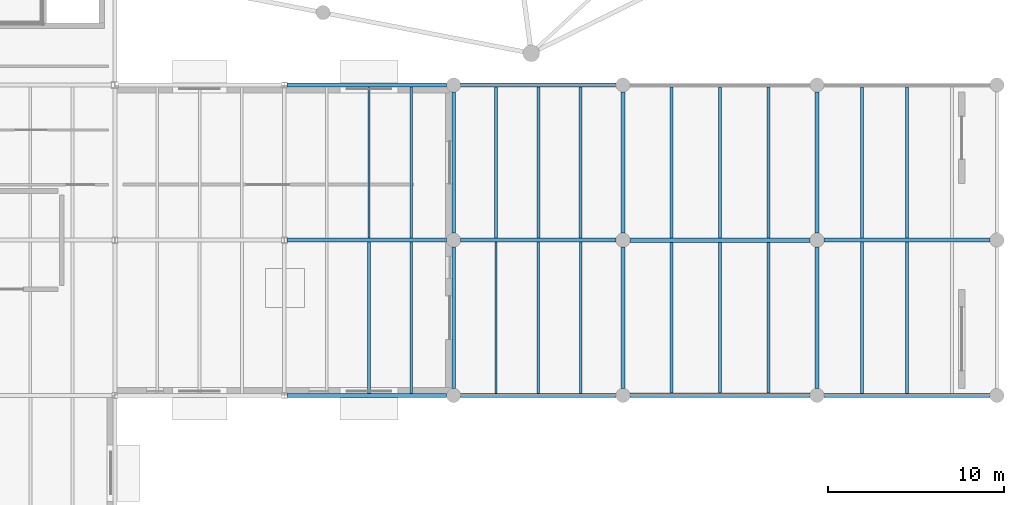
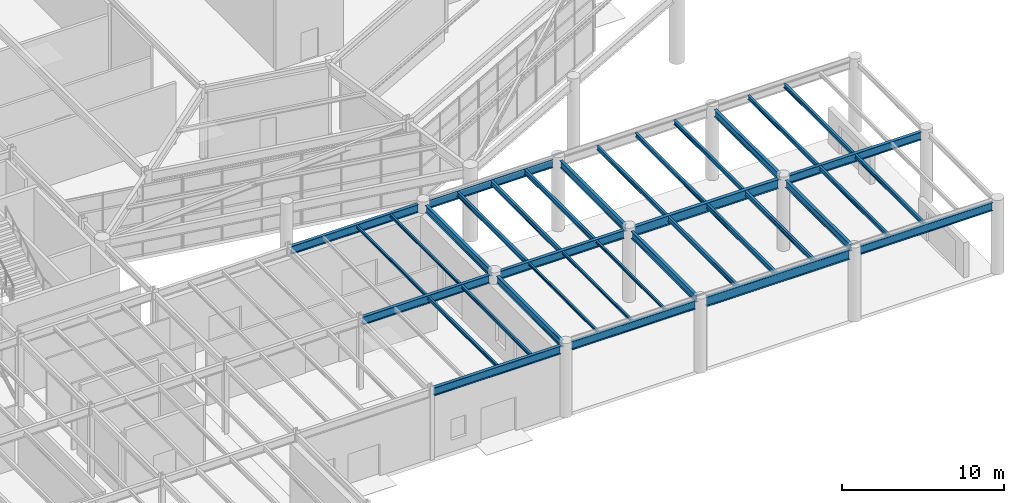
# One storey, part 28 of 70: 36 beams.
"""IFC4 building model written with IfcOpenShell, lengths in metres."""

from ifc_helpers import new_model, si_unit, direction, frame, origin, origin_2d, place, context, subcontext, project, spatial, i_section, extrude, material, material_profile, profile_set, type_object, element, save


model = new_model("IFC4")

# Units and contexts
model_context = context("Model", 3, precision=1e-05, world=origin(), true_north=direction((0.0, 1.0)))
body_context = subcontext(model_context, "Body", "Model", "MODEL_VIEW")
ifc_project = project(units=[si_unit("LENGTHUNIT", "METRE"), si_unit("AREAUNIT", "SQUARE_METRE"), si_unit("VOLUMEUNIT", "CUBIC_METRE"), si_unit("PLANEANGLEUNIT", "RADIAN"), si_unit("MASSUNIT", "GRAM", prefix="KILO")], contexts=[model_context])

# Site, building, storey
site_placement = place(None, origin())
site = spatial("IfcSite", under=ifc_project, at=site_placement, CompositionType="ELEMENT")
building_placement = place(site_placement, origin())
building = spatial("IfcBuilding", under=site, at=building_placement, Name="Sarnbrook Museum", CompositionType="ELEMENT")
storey_placement = place(building_placement, origin())
storey = spatial("IfcBuildingStorey", under=building, at=storey_placement, Name="L00", CompositionType="ELEMENT", Elevation=0.0)

# Beams
ifc_material_1 = material(Name="Structural Steel Grade 300PLUS (AS/NZS 3679.1, fy = 280 MPa for 17 < t <= 40 mm, 300 MPa for t <= 17 mm)", Category="steel")
ifc_material_profile_1 = material_profile(ifc_material_1, i_section(OverallWidth=0.208984375, OverallDepth=0.532958984375, WebThickness=0.01025390625, FlangeThickness=0.015625, FilletRadius=0.013916015625, at=origin_2d()), Name="530UB92.4")
ifc_profile_set_1 = profile_set([ifc_material_profile_1], Name="Structural Steel Grade 300PLUS (AS/NZS 3679.1, fy = 280 MPa for 17 < t <= 40 mm, 300 MPa for t <= 17 mm)")
beam_type_1 = type_object("IfcBeamType", Name="BM-UB530", PredefinedType="BEAM", material=ifc_profile_set_1)
for number, where, z_axis, x_axis, name in (
    (1, (138.39990234375, 39.60009765625, 5.08349609375), (0.0, 1.0, 0.0), (-1.0, 0.0, 0.0), "Girder 15:E-F L00"),
    (2, (138.39990234375, 48.39990234375, 5.08349609375), (0.0, 1.0, 0.0), (-1.0, 0.0, 0.0), "Girder 15:F-G L00"),
    (3, (148.0, 39.60009765625, 5.103515625), (0.0, 1.0, 0.0), (-1.0, 0.0, 0.0), "Girder 16:E-F L00"),
    (4, (148.0, 48.39990234375, 5.103515625), (0.0, 1.0, 0.0), (-1.0, 0.0, 0.0), "Girder 16:F-G L00"),
    (5, (159.0, 39.60009765625, 5.103515625), (0.0, 1.0, 0.0), (-1.0, 0.0, 0.0), "Girder 17:E-F L00"),
    (6, (159.0, 48.39990234375, 5.103515625), (0.0, 1.0, 0.0), (-1.0, 0.0, 0.0), "Girder 17:F-G L00"),
):
    element("IfcBeam", number, at=place(storey_placement, frame(where, z_axis=z_axis, x_axis=x_axis)), inside=storey, type_object=beam_type_1, Name=name, PredefinedType="BEAM", context=body_context, shape_type="SweptSolid", body=[
        extrude(i_section(OverallWidth=0.208984375, OverallDepth=0.532958984375, WebThickness=0.01025390625, FlangeThickness=0.015625, FilletRadius=0.013916015625, at=origin_2d()), origin(), (0.0, 0.0, 1.0), 8.0),
    ])
ifc_material_profile_2 = material_profile(ifc_material_1, i_section(OverallWidth=0.22900390625, OverallDepth=0.612060546875, WebThickness=0.011962890625, FlangeThickness=0.01953125, FilletRadius=0.013916015625, at=origin_2d()), Name="610UB125")
ifc_profile_set_2 = profile_set([ifc_material_profile_2], Name="Structural Steel Grade 300PLUS (AS/NZS 3679.1, fy = 280 MPa for 17 < t <= 40 mm, 300 MPa for t <= 17 mm)")
beam_type_2 = type_object("IfcBeamType", Name="BM-UB610H", PredefinedType="BEAM", material=ifc_profile_set_2)
beam_1_placement = place(storey_placement, frame((128.95556640625, 39.199951171875, 5.0439453125), z_axis=(1.0, 0.0, 0.0), x_axis=(0.0, 1.0, 0.0)))
element("IfcBeam", 7, at=beam_1_placement, inside=storey, type_object=beam_type_2, Name="Girder E:14-15 L00", PredefinedType="BEAM", context=body_context, shape_type="SweptSolid", body=[
    extrude(i_section(OverallWidth=0.22900390625, OverallDepth=0.612060546875, WebThickness=0.011962890625, FlangeThickness=0.01953125, FilletRadius=0.013916015625, at=origin_2d()), origin(), (0.0, 0.0, 1.0), 9.04443359375),
])
beam_2_placement = place(storey_placement, frame((138.800048828125, 39.199951171875, 5.06396484375), z_axis=(1.0, 0.0, 0.0), x_axis=(0.0, 1.0, 0.0)))
element("IfcBeam", 8, at=beam_2_placement, inside=storey, type_object=beam_type_2, Name="Girder E:15-16 L00", PredefinedType="BEAM", context=body_context, shape_type="SweptSolid", body=[
    extrude(i_section(OverallWidth=0.22900390625, OverallDepth=0.612060546875, WebThickness=0.011962890625, FlangeThickness=0.01953125, FilletRadius=0.013916015625, at=origin_2d()), origin(), (0.0, 0.0, 1.0), 8.800048828125),
])
beam_3_placement = place(storey_placement, frame((159.39990234375, 39.199951171875, 5.06396484375), z_axis=(1.0, 0.0, 0.0), x_axis=(0.0, 1.0, 0.0)))
element("IfcBeam", 9, at=beam_3_placement, inside=storey, type_object=beam_type_2, Name="Girder E:17-18 L00", PredefinedType="BEAM", context=body_context, shape_type="SweptSolid", body=[
    extrude(i_section(OverallWidth=0.22900390625, OverallDepth=0.612060546875, WebThickness=0.011962890625, FlangeThickness=0.01953125, FilletRadius=0.013916015625, at=origin_2d()), origin(), (0.0, 0.0, 1.0), 9.400146484375),
])
beam_4_placement = place(storey_placement, frame((128.95556640625, 48.0, 5.0439453125), z_axis=(1.0, 0.0, 0.0), x_axis=(0.0, 1.0, 0.0)))
element("IfcBeam", 10, at=beam_4_placement, inside=storey, type_object=beam_type_2, Name="Girder F:14-15 L00", PredefinedType="BEAM", context=body_context, shape_type="SweptSolid", body=[
    extrude(i_section(OverallWidth=0.22900390625, OverallDepth=0.612060546875, WebThickness=0.011962890625, FlangeThickness=0.01953125, FilletRadius=0.013916015625, at=origin_2d()), origin(), (0.0, 0.0, 1.0), 9.04443359375),
])
beam_5_placement = place(storey_placement, frame((138.800048828125, 48.0, 5.06396484375), z_axis=(1.0, 0.0, 0.0), x_axis=(0.0, 1.0, 0.0)))
element("IfcBeam", 11, at=beam_5_placement, inside=storey, type_object=beam_type_2, Name="Girder F:15-16 L00", PredefinedType="BEAM", context=body_context, shape_type="SweptSolid", body=[
    extrude(i_section(OverallWidth=0.22900390625, OverallDepth=0.612060546875, WebThickness=0.011962890625, FlangeThickness=0.01953125, FilletRadius=0.013916015625, at=origin_2d()), origin(), (0.0, 0.0, 1.0), 8.800048828125),
])
beam_6_placement = place(storey_placement, frame((159.39990234375, 48.0, 5.06396484375), z_axis=(1.0, 0.0, 0.0), x_axis=(0.0, 1.0, 0.0)))
element("IfcBeam", 12, at=beam_6_placement, inside=storey, type_object=beam_type_2, Name="Girder F:17-18 L00", PredefinedType="BEAM", context=body_context, shape_type="SweptSolid", body=[
    extrude(i_section(OverallWidth=0.22900390625, OverallDepth=0.612060546875, WebThickness=0.011962890625, FlangeThickness=0.01953125, FilletRadius=0.013916015625, at=origin_2d()), origin(), (0.0, 0.0, 1.0), 9.400146484375),
])
beam_7_placement = place(storey_placement, frame((128.95556640625, 56.800048828125, 5.0439453125), z_axis=(1.0, 0.0, 0.0), x_axis=(0.0, 1.0, 0.0)))
element("IfcBeam", 13, at=beam_7_placement, inside=storey, type_object=beam_type_2, Name="Girder G:14-15 L00", PredefinedType="BEAM", context=body_context, shape_type="SweptSolid", body=[
    extrude(i_section(OverallWidth=0.22900390625, OverallDepth=0.612060546875, WebThickness=0.011962890625, FlangeThickness=0.01953125, FilletRadius=0.013916015625, at=origin_2d()), origin(), (0.0, 0.0, 1.0), 9.04443359375),
])
beam_8_placement = place(storey_placement, frame((138.800048828125, 56.800048828125, 5.06396484375), z_axis=(1.0, 0.0, 0.0), x_axis=(0.0, 1.0, 0.0)))
element("IfcBeam", 14, at=beam_8_placement, inside=storey, type_object=beam_type_2, Name="Girder G:15-16 L00", PredefinedType="BEAM", context=body_context, shape_type="SweptSolid", body=[
    extrude(i_section(OverallWidth=0.22900390625, OverallDepth=0.612060546875, WebThickness=0.011962890625, FlangeThickness=0.01953125, FilletRadius=0.013916015625, at=origin_2d()), origin(), (0.0, 0.0, 1.0), 8.800048828125),
])
ifc_material_2 = material(Name="Structural Steel Grade 350L0 (AS/NZS 3678, fy = 340 MPa for 20 < t <= 40 mm)", Category="steel")
ifc_material_profile_3 = material_profile(ifc_material_2, i_section(OverallWidth=0.25, OverallDepth=0.699951171875, WebThickness=0.010009765625, FlangeThickness=0.01611328125, at=origin_2d()), Name="700WB130")
ifc_profile_set_3 = profile_set([ifc_material_profile_3], Name="Structural Steel Grade 350L0 (AS/NZS 3678, fy = 340 MPa for 20 < t <= 40 mm)")
beam_type_3 = type_object("IfcBeamType", Name="BM-WB700", PredefinedType="BEAM", material=ifc_profile_set_3)
for number, where, z_axis, x_axis, name in (
    (15, (148.39990234375, 39.199951171875, 5.02001953125), (1.0, 0.0, 0.0), (0.0, 1.0, 0.0), "Girder E:16-17 L00"),
    (16, (148.39990234375, 48.0, 5.02001953125), (1.0, 0.0, 0.0), (0.0, 1.0, 0.0), "Girder F:16-17 L00"),
):
    element("IfcBeam", number, at=place(storey_placement, frame(where, z_axis=z_axis, x_axis=x_axis)), inside=storey, type_object=beam_type_3, Name=name, PredefinedType="BEAM", context=body_context, shape_type="SweptSolid", body=[
        extrude(i_section(OverallWidth=0.25, OverallDepth=0.699951171875, WebThickness=0.010009765625, FlangeThickness=0.01611328125, at=origin_2d()), origin(), (0.0, 0.0, 1.0), 10.2001953125),
    ])
ifc_material_profile_4 = material_profile(ifc_material_1, i_section(OverallWidth=0.134033203125, OverallDepth=0.20703125, WebThickness=0.00634765625, FlangeThickness=0.009521484375, FilletRadius=0.0087890625, at=origin_2d()), Name="200UB29.8")
ifc_profile_set_4 = profile_set([ifc_material_profile_4], Name="Structural Steel Grade 300PLUS (AS/NZS 3679.1, fy = 280 MPa for 17 < t <= 40 mm, 300 MPa for t <= 17 mm)")
beam_type_4 = type_object("IfcBeamType", Name="JS-UB200", PredefinedType="JOIST", material=ifc_profile_set_4)
for number, where, z_axis, x_axis, name in (
    (17, (133.60009765625, 48.114501953125, 5.24658203125), (0.0, 1.0, 0.0), (-1.0, 0.0, 0.0), "Composite Floor Joist 14F-2 L00"),
    (18, (136.0, 48.114501953125, 5.24658203125), (0.0, 1.0, 0.0), (-1.0, 0.0, 0.0), "Composite Floor Joist 14F-3 L00"),
    (19, (140.800048828125, 39.314453125, 5.2666015625), (0.0, 1.0, 0.0), (-1.0, 0.0, 0.0), "Composite Floor Joist 15E-1 L00"),
    (20, (143.199951171875, 39.314453125, 5.2666015625), (0.0, 1.0, 0.0), (-1.0, 0.0, 0.0), "Composite Floor Joist 15E-2 L00"),
    (21, (145.60009765625, 39.314453125, 5.2666015625), (0.0, 1.0, 0.0), (-1.0, 0.0, 0.0), "Composite Floor Joist 15E-3 L00"),
):
    element("IfcBeam", number, at=place(storey_placement, frame(where, z_axis=z_axis, x_axis=x_axis)), inside=storey, type_object=beam_type_4, Name=name, PredefinedType="JOIST", context=body_context, shape_type="SweptSolid", body=[
        extrude(i_section(OverallWidth=0.134033203125, OverallDepth=0.20703125, WebThickness=0.00634765625, FlangeThickness=0.009521484375, FilletRadius=0.0087890625, at=origin_2d()), origin(), (0.0, 0.0, 1.0), 8.571044921875),
    ])
ifc_material_profile_5 = material_profile(ifc_material_1, i_section(OverallWidth=0.14599609375, OverallDepth=0.256103515625, WebThickness=0.00634765625, FlangeThickness=0.010986328125, FilletRadius=0.0087890625, at=origin_2d()), Name="250UB37.3")
ifc_profile_set_5 = profile_set([ifc_material_profile_5], Name="Structural Steel Grade 300PLUS (AS/NZS 3679.1, fy = 280 MPa for 17 < t <= 40 mm, 300 MPa for t <= 17 mm)")
beam_type_5 = type_object("IfcBeamType", Name="JS-UB250", PredefinedType="JOIST", material=ifc_profile_set_5)
for number, where, z_axis, x_axis, name in (
    (22, (133.60009765625, 39.314453125, 5.221923828125), (0.0, 1.0, 0.0), (-1.0, 0.0, 0.0), "Composite Floor Joist 14E-2 L00"),
    (23, (136.0, 39.314453125, 5.221923828125), (0.0, 1.0, 0.0), (-1.0, 0.0, 0.0), "Composite Floor Joist 14E-3 L00"),
):
    element("IfcBeam", number, at=place(storey_placement, frame(where, z_axis=z_axis, x_axis=x_axis)), inside=storey, type_object=beam_type_5, Name=name, PredefinedType="JOIST", context=body_context, shape_type="SweptSolid", body=[
        extrude(i_section(OverallWidth=0.14599609375, OverallDepth=0.256103515625, WebThickness=0.00634765625, FlangeThickness=0.010986328125, FilletRadius=0.0087890625, at=origin_2d()), origin(), (0.0, 0.0, 1.0), 8.571044921875),
    ])
ifc_material_profile_6 = material_profile(ifc_material_1, i_section(OverallWidth=0.1650390625, OverallDepth=0.303955078125, WebThickness=0.006103515625, FlangeThickness=0.01025390625, FilletRadius=0.011474609375, at=origin_2d()), Name="310UB40.4")
ifc_profile_set_6 = profile_set([ifc_material_profile_6], Name="Structural Steel Grade 300PLUS (AS/NZS 3679.1, fy = 280 MPa for 17 < t <= 40 mm, 300 MPa for t <= 17 mm)")
beam_type_6 = type_object("IfcBeamType", Name="JS-UB310", PredefinedType="JOIST", material=ifc_profile_set_6)
for number, where, z_axis, x_axis, name in (
    (24, (161.550048828125, 48.114501953125, 5.218017578125), (0.0, 1.0, 0.0), (-1.0, 0.0, 0.0), "Composite Floor Joist 17F-1 L00"),
    (25, (164.10009765625, 48.114501953125, 5.218017578125), (0.0, 1.0, 0.0), (-1.0, 0.0, 0.0), "Composite Floor Joist 17F-2 L00"),
):
    element("IfcBeam", number, at=place(storey_placement, frame(where, z_axis=z_axis, x_axis=x_axis)), inside=storey, type_object=beam_type_6, Name=name, PredefinedType="JOIST", context=body_context, shape_type="SweptSolid", body=[
        extrude(i_section(OverallWidth=0.1650390625, OverallDepth=0.303955078125, WebThickness=0.006103515625, FlangeThickness=0.01025390625, FilletRadius=0.011474609375, at=origin_2d()), origin(), (0.0, 0.0, 1.0), 8.571044921875),
    ])
ifc_material_profile_7 = material_profile(ifc_material_1, i_section(OverallWidth=0.166015625, OverallDepth=0.306884765625, WebThickness=0.006591796875, FlangeThickness=0.01171875, FilletRadius=0.011474609375, at=origin_2d()), Name="310UB46.2")
ifc_profile_set_7 = profile_set([ifc_material_profile_7], Name="Structural Steel Grade 300PLUS (AS/NZS 3679.1, fy = 280 MPa for 17 < t <= 40 mm, 300 MPa for t <= 17 mm)")
beam_type_7 = type_object("IfcBeamType", Name="JS-UB310H", PredefinedType="JOIST", material=ifc_profile_set_7)
for number, where, z_axis, x_axis, name in (
    (26, (150.75, 48.125, 5.216552734375), (0.0, 1.0, 0.0), (-1.0, 0.0, 0.0), "Composite Floor Joist 16F-1 L00"),
    (27, (153.5, 48.125, 5.216552734375), (0.0, 1.0, 0.0), (-1.0, 0.0, 0.0), "Composite Floor Joist 16F-2 L00"),
    (28, (156.25, 48.125, 5.216552734375), (0.0, 1.0, 0.0), (-1.0, 0.0, 0.0), "Composite Floor Joist 16F-3 L00"),
):
    element("IfcBeam", number, at=place(storey_placement, frame(where, z_axis=z_axis, x_axis=x_axis)), inside=storey, type_object=beam_type_7, Name=name, PredefinedType="JOIST", context=body_context, shape_type="SweptSolid", body=[
        extrude(i_section(OverallWidth=0.166015625, OverallDepth=0.306884765625, WebThickness=0.006591796875, FlangeThickness=0.01171875, FilletRadius=0.011474609375, at=origin_2d()), origin(), (0.0, 0.0, 1.0), 8.550048828125),
    ])
for number, where, z_axis, x_axis, name in (
    (29, (161.550048828125, 39.314453125, 5.216552734375), (0.0, 1.0, 0.0), (-1.0, 0.0, 0.0), "Composite Floor Joist 17E-1 L00"),
    (30, (164.10009765625, 39.314453125, 5.216552734375), (0.0, 1.0, 0.0), (-1.0, 0.0, 0.0), "Composite Floor Joist 17E-2 L00"),
):
    element("IfcBeam", number, at=place(storey_placement, frame(where, z_axis=z_axis, x_axis=x_axis)), inside=storey, type_object=beam_type_7, Name=name, PredefinedType="JOIST", context=body_context, shape_type="SweptSolid", body=[
        extrude(i_section(OverallWidth=0.166015625, OverallDepth=0.306884765625, WebThickness=0.006591796875, FlangeThickness=0.01171875, FilletRadius=0.011474609375, at=origin_2d()), origin(), (0.0, 0.0, 1.0), 8.571044921875),
    ])
ifc_material_profile_8 = material_profile(ifc_material_1, i_section(OverallWidth=0.1708984375, OverallDepth=0.35595703125, WebThickness=0.00732421875, FlangeThickness=0.011474609375, FilletRadius=0.011474609375, at=origin_2d()), Name="360UB50.7")
ifc_profile_set_8 = profile_set([ifc_material_profile_8], Name="Structural Steel Grade 300PLUS (AS/NZS 3679.1, fy = 280 MPa for 17 < t <= 40 mm, 300 MPa for t <= 17 mm)")
beam_type_8 = type_object("IfcBeamType", Name="JS-UB360", PredefinedType="JOIST", material=ifc_profile_set_8)
for number, where, z_axis, x_axis, name in (
    (31, (140.800048828125, 48.114501953125, 5.19189453125), (0.0, 1.0, 0.0), (-1.0, 0.0, 0.0), "Composite Floor Joist 15F-1 L00"),
    (32, (143.199951171875, 48.114501953125, 5.19189453125), (0.0, 1.0, 0.0), (-1.0, 0.0, 0.0), "Composite Floor Joist 15F-2 L00"),
    (33, (145.60009765625, 48.114501953125, 5.19189453125), (0.0, 1.0, 0.0), (-1.0, 0.0, 0.0), "Composite Floor Joist 15F-3 L00"),
):
    element("IfcBeam", number, at=place(storey_placement, frame(where, z_axis=z_axis, x_axis=x_axis)), inside=storey, type_object=beam_type_8, Name=name, PredefinedType="JOIST", context=body_context, shape_type="SweptSolid", body=[
        extrude(i_section(OverallWidth=0.1708984375, OverallDepth=0.35595703125, WebThickness=0.00732421875, FlangeThickness=0.011474609375, FilletRadius=0.011474609375, at=origin_2d()), origin(), (0.0, 0.0, 1.0), 8.571044921875),
    ])
for number, where, z_axis, x_axis, name in (
    (34, (150.75, 39.324951171875, 5.19189453125), (0.0, 1.0, 0.0), (-1.0, 0.0, 0.0), "Composite Floor Joist 16E-1 L00"),
    (35, (153.5, 39.324951171875, 5.19189453125), (0.0, 1.0, 0.0), (-1.0, 0.0, 0.0), "Composite Floor Joist 16E-2 L00"),
    (36, (156.25, 39.324951171875, 5.19189453125), (0.0, 1.0, 0.0), (-1.0, 0.0, 0.0), "Composite Floor Joist 16E-3 L00"),
):
    element("IfcBeam", number, at=place(storey_placement, frame(where, z_axis=z_axis, x_axis=x_axis)), inside=storey, type_object=beam_type_8, Name=name, PredefinedType="JOIST", context=body_context, shape_type="SweptSolid", body=[
        extrude(i_section(OverallWidth=0.1708984375, OverallDepth=0.35595703125, WebThickness=0.00732421875, FlangeThickness=0.011474609375, FilletRadius=0.011474609375, at=origin_2d()), origin(), (0.0, 0.0, 1.0), 8.550048828125),
    ])

save(model, "model.ifc")
